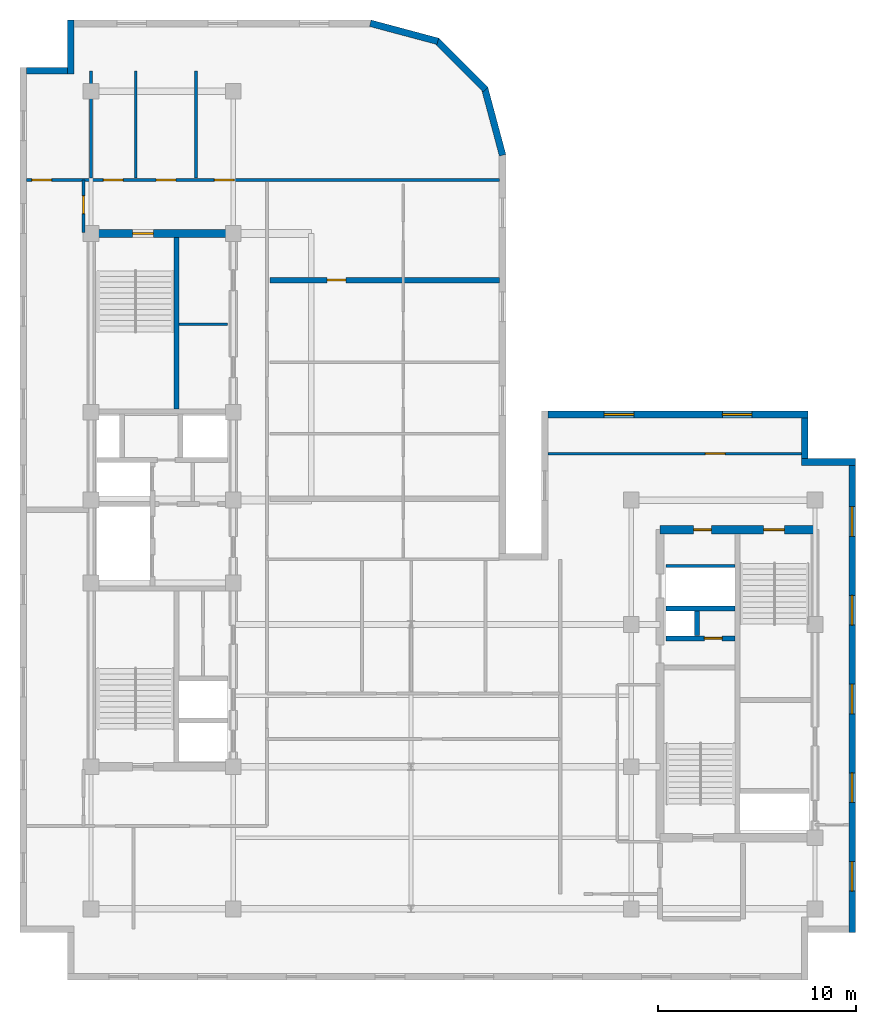
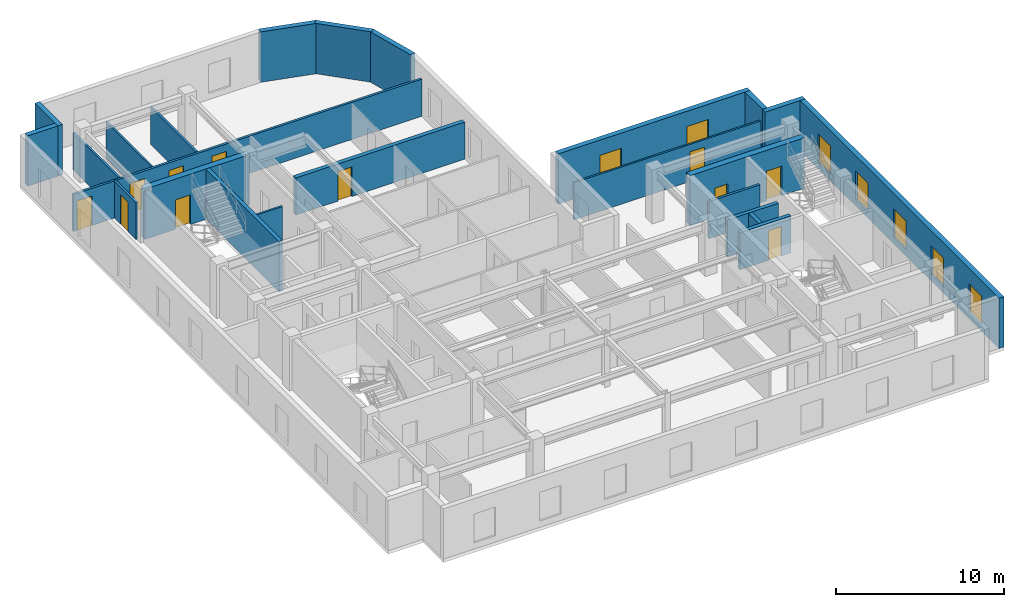
# One storey, part 6 of 10: 24 walls, 11 doors, 7 windows, 18 openings.
"""IFC4 building model written with IfcOpenShell, lengths in metres."""

import ifcopenshell
import ifcopenshell.guid

model = None  # the IFC model being written
_history = None  # IfcOwnerHistory: only IFC2X3 demands one
_inside = {}  # id of a spatial element -> (the spatial element, [elements in it])
_under = {}  # id of a project, library or spatial element -> (it, [spatial elements below it])
_declared = {}  # id of a project -> (the project, [libraries it declares])
_typed = {}  # id of a type object -> (the type object, [elements of that type])
_made_of = {}  # id of a material, layer set ... -> (it, [elements and type objects made of it])


def new_model(schema):
    """Start an empty IFC model of exactly this schema.

    Asked for "IFC4X3", IfcOpenShell would pick the latest addendum, in which some entities
    have other attributes; the version numbers below select the first issue.
    IFC2X3 requires an IfcOwnerHistory on every rooted entity: one is made here for all.
    """
    global model, _history
    if schema == "IFC4X3":
        model = ifcopenshell.file(schema_version=(4, 3, 0, 0))
    else:
        model = ifcopenshell.file(schema=schema)
    _inside.clear()
    _under.clear()
    _declared.clear()
    _typed.clear()
    _made_of.clear()
    _history = None
    if model.schema == "IFC2X3":
        org = make("IfcOrganization", Name="unknown")
        user = make(
            "IfcPersonAndOrganization",
            ThePerson=make("IfcPerson", FamilyName="unknown"),
            TheOrganization=org,
        )
        app = make(
            "IfcApplication",
            ApplicationDeveloper=org,
            Version="unknown",
            ApplicationFullName="unknown",
            ApplicationIdentifier="unknown",
        )
        _history = make(
            "IfcOwnerHistory",
            OwningUser=user,
            OwningApplication=app,
            ChangeAction="ADDED",
            CreationDate=0,
        )
    return model


def make(cls, **values):
    """One entity of the class cls with the attributes given. An attribute that is None is left unset."""
    return model.create_entity(
        cls, **{name: value for name, value in values.items() if value is not None}
    )


def entity(cls, *values):
    """Any entity or typed value of the class cls, its attributes in the order of the schema. None: left unset."""
    e = model.create_entity(cls)
    for i, value in enumerate(values):
        if value is not None:
            e[i] = value
    return e


def rooted(cls, **values):
    """An entity with a GlobalId (a new one), such as an element, a storey or a relation."""
    return make(cls, GlobalId=ifcopenshell.guid.new(), OwnerHistory=_history, **values)


def si_unit(unit_type, name, prefix=None):
    """IfcSIUnit, for example si_unit("LENGTHUNIT", "METRE", prefix="MILLI")."""
    return make("IfcSIUnit", UnitType=unit_type, Prefix=prefix, Name=name)


def converted_unit(unit_type, name, factor, base, dimensions=None, offset=None):
    """IfcConversionBasedUnit, such as the inch: factor (a typed value) times the base unit."""
    return make(
        "IfcConversionBasedUnit"
        if offset is None
        else "IfcConversionBasedUnitWithOffset",
        ConversionOffset=offset,
        Dimensions=None
        if dimensions is None
        else entity("IfcDimensionalExponents", *dimensions),
        UnitType=unit_type,
        Name=name,
        ConversionFactor=make(
            "IfcMeasureWithUnit", ValueComponent=factor, UnitComponent=base
        ),
    )


def assignment(units):
    """IfcUnitAssignment: the units of a project."""
    return None if units is None else make("IfcUnitAssignment", Units=units)


def point(xyz):
    """IfcCartesianPoint."""
    return None if xyz is None else make("IfcCartesianPoint", Coordinates=xyz)


def direction(xyz):
    """IfcDirection."""
    return None if xyz is None else make("IfcDirection", DirectionRatios=xyz)


def frame(location, z_axis=None, x_axis=None):
    """IfcAxis2Placement3D, a coordinate frame: its origin and axes. An axis left out is left unset."""
    return make(
        "IfcAxis2Placement3D",
        Location=point(location),
        Axis=direction(z_axis),
        RefDirection=direction(x_axis),
    )


def frame_2d(location, x_axis=None):
    """IfcAxis2Placement2D, a coordinate frame in the plane: its origin and x axis."""
    return make(
        "IfcAxis2Placement2D", Location=point(location), RefDirection=direction(x_axis)
    )


def origin_with_axes():
    """The frame at (0, 0, 0) with the z axis (0, 0, 1) and the x axis (1, 0, 0) written out."""
    return frame((0.0, 0.0, 0.0), z_axis=(0.0, 0.0, 1.0), x_axis=(1.0, 0.0, 0.0))


def origin_2d_with_axis():
    """The frame at (0, 0) in the plane with the x axis (1, 0) written out."""
    return frame_2d((0.0, 0.0), x_axis=(1.0, 0.0))


def place(relative_to, where):
    """IfcLocalPlacement: puts the frame where relative to a parent placement (None: the world)."""
    return make(
        "IfcLocalPlacement", PlacementRelTo=relative_to, RelativePlacement=where
    )


def context(
    kind, dimensions, precision=None, world=None, true_north=None, identifier=None
):
    """IfcGeometricRepresentationContext, for example the 3D "Model" context."""
    return make(
        "IfcGeometricRepresentationContext",
        ContextIdentifier=identifier,
        ContextType=kind,
        CoordinateSpaceDimension=dimensions,
        Precision=precision,
        WorldCoordinateSystem=world,
        TrueNorth=true_north,
    )


def subcontext(parent, identifier, kind, view, scale=None):
    """IfcGeometricRepresentationSubContext, for example "Body" below "Model"."""
    return make(
        "IfcGeometricRepresentationSubContext",
        ContextIdentifier=identifier,
        ContextType=kind,
        ParentContext=parent,
        TargetScale=scale,
        TargetView=view,
    )


def project(units=None, contexts=None):
    """IfcProject with its units and contexts."""
    return rooted(
        "IfcProject",
        Name="project",
        RepresentationContexts=contexts,
        UnitsInContext=assignment(units),
    )


def spatial(cls, under=None, at=None, **own):
    """A site, building, storey or space (cls), placed at a placement, below another one or the project."""
    s = rooted(cls, ObjectPlacement=at, **own)
    if under is not None:
        _under.setdefault(under.id(), (under, []))[1].append(s)
    return s


def polyline(points):
    """IfcPolyline through the points."""
    return make("IfcPolyline", Points=[point(p) for p in points])


def profile(cls, at=None, kind="AREA", **sizes):
    """A parametric profile (cls). Its sizes go by their IFC names, for example OverallWidth=200.0."""
    return make(cls, ProfileType=kind, Position=at, **sizes)


def rectangle(**sizes):
    """IfcRectangleProfileDef."""
    return profile("IfcRectangleProfileDef", **sizes)


def outline(outer, holes=None, kind="AREA"):
    """IfcArbitraryClosedProfileDef: a profile drawn as a closed curve; with holes, ...WithVoids."""
    if holes is None:
        return make("IfcArbitraryClosedProfileDef", ProfileType=kind, OuterCurve=outer)
    return make(
        "IfcArbitraryProfileDefWithVoids",
        ProfileType=kind,
        OuterCurve=outer,
        InnerCurves=holes,
    )


def extrude(swept, where, along, depth):
    """IfcExtrudedAreaSolid: the profile swept, set in the frame where, extruded along a direction by depth."""
    return make(
        "IfcExtrudedAreaSolid",
        SweptArea=swept,
        Position=where,
        ExtrudedDirection=direction(along),
        Depth=depth,
    )


def shape(context_of_items, identifier, shape_type, items):
    """IfcShapeRepresentation: the items that make up one representation, for example the "Body"."""
    return make(
        "IfcShapeRepresentation",
        ContextOfItems=context_of_items,
        RepresentationIdentifier=identifier,
        RepresentationType=shape_type,
        Items=items,
    )


def material(Name=None, Category=None):
    """IfcMaterial."""
    return make("IfcMaterial", Name=Name, Category=Category)


def layer(
    of_material, thickness, ventilated=None, Name=None, Category=None, Priority=None
):
    """IfcMaterialLayer: one layer of a wall or slab, of a material (None: an air gap)."""
    return make(
        "IfcMaterialLayer",
        Material=of_material,
        LayerThickness=thickness,
        IsVentilated=ventilated,
        Name=Name,
        Category=Category,
        Priority=Priority,
    )


def layer_set(layers, Name=None):
    """IfcMaterialLayerSet."""
    return make("IfcMaterialLayerSet", MaterialLayers=layers, LayerSetName=Name)


def made_of(thing, what):
    """Note that an element or type object is made of a material, layer set ...; save() writes the relation."""
    if what is not None:
        _made_of.setdefault(what.id(), (what, []))[1].append(thing)
    return thing


def type_object(cls, material=None, **own):
    """A type object (cls), such as IfcWallType, which elements share."""
    return made_of(rooted(cls, **own), material)


def element(
    cls,
    number,
    at=None,
    inside=None,
    cuts=None,
    type_object=None,
    material=None,
    context=None,
    identifier="Body",
    shape_type=None,
    held_by="IfcProductDefinitionShape",
    body=None,
    shapes=None,
    **own,
):
    """One element of the class cls, such as IfcWall. Its Tag is "e" and its number.

    at: its placement. inside: the storey or other place that contains it. cuts: it is an
    opening in that element (IfcRelVoidsElement). A single representation is given by context,
    identifier, shape_type and body (its items); several are given by shapes. held_by: the class
    of the entity that holds the representations. save() writes the other relations.
    """
    e = rooted(cls, Tag="e%d" % number, ObjectPlacement=at, **own)
    if body is not None:
        shapes = [shape(context, identifier, shape_type, body)]
    if shapes is not None:
        e.Representation = make(held_by, Representations=shapes)
    if inside is not None:
        _inside.setdefault(inside.id(), (inside, []))[1].append(e)
    if cuts is not None:
        rooted(
            "IfcRelVoidsElement", RelatingBuildingElement=cuts, RelatedOpeningElement=e
        )
    if type_object is not None:
        _typed.setdefault(type_object.id(), (type_object, []))[1].append(e)
    return made_of(e, material)


def fill(opening, filler):
    """IfcRelFillsElement: the door or window that sits in an opening."""
    return rooted(
        "IfcRelFillsElement",
        RelatingOpeningElement=opening,
        RelatedBuildingElement=filler,
    )


def aggregate(whole, parts):
    """IfcRelAggregates: a whole, such as a stair, and the parts it consists of."""
    return rooted("IfcRelAggregates", RelatingObject=whole, RelatedObjects=parts)


def save(model, path):
    """Write the relations noted so far, then the file.

    IfcRelAggregates (storeys below a building ...), IfcRelContainedInSpatialStructure (elements
    in a storey), IfcRelDefinesByType, IfcRelAssociatesMaterial and IfcRelDeclares: one each for
    every whole, place, type object, material and project.
    """
    for whole, parts in _under.values():
        aggregate(whole, parts)
    for where, things in _inside.values():
        rooted(
            "IfcRelContainedInSpatialStructure",
            RelatedElements=things,
            RelatingStructure=where,
        )
    for kind, things in _typed.values():
        rooted("IfcRelDefinesByType", RelatedObjects=things, RelatingType=kind)
    for what, things in _made_of.values():
        rooted("IfcRelAssociatesMaterial", RelatedObjects=things, RelatingMaterial=what)
    for by, libraries in _declared.values():
        rooted("IfcRelDeclares", RelatingContext=by, RelatedDefinitions=libraries)
    model.write(path)


model = new_model("IFC4")

# Units and contexts
model_context = context("Model", 3, precision=1e-05, world=origin_with_axes(), true_north=direction((0.0, 1.0)))
body_context = subcontext(model_context, "Body", "Model", "MODEL_VIEW")
ifc_project = project(units=[si_unit("LENGTHUNIT", "METRE"), si_unit("AREAUNIT", "SQUARE_METRE"), si_unit("VOLUMEUNIT", "CUBIC_METRE"), converted_unit("PLANEANGLEUNIT", "DEGREE", entity("IfcPlaneAngleMeasure", 0.017453292519943295), si_unit("PLANEANGLEUNIT", "RADIAN"), dimensions=[0, 0, 0, 0, 0, 0, 0]), si_unit("MASSUNIT", "GRAM", prefix="KILO"), si_unit("THERMODYNAMICTEMPERATUREUNIT", "KELVIN")], contexts=[model_context])

# Site, building, storey
site_placement = place(None, origin_with_axes())
site = spatial("IfcSite", under=ifc_project, at=site_placement, CompositionType="ELEMENT")
building_placement = place(site_placement, origin_with_axes())
building = spatial("IfcBuilding", under=site, at=building_placement, Name="Varnlund Millrace Tower", CompositionType="ELEMENT")
storey_placement = place(building_placement, frame((0.0, 0.0, 268.5), z_axis=(0.0, 0.0, 1.0), x_axis=(1.0, 0.0, 0.0)))
storey = spatial("IfcBuildingStorey", under=building, at=storey_placement, Name="L66", CompositionType="ELEMENT", Elevation=268.5)

# Wall, opening, door
ifc_material_1 = material(Name="Concrete C60/75", Category="concrete")
ifc_layer_1 = layer(ifc_material_1, 0.42, Name="Concrete C60/75")
ifc_layer_set_1 = layer_set([ifc_layer_1], Name="Concrete C60/75")
wall_type_1 = type_object("IfcWallType", Name="Type-CoreWall-Shear-420-C60", PredefinedType="SHEAR", material=ifc_layer_set_1)
wall_1_placement = place(storey_placement, frame((11.4, 37.8, 0.0), z_axis=(0.0, 0.0, 1.0), x_axis=(1.0, 0.0, 0.0)))
wall_1 = element("IfcWall", 1, at=wall_1_placement, inside=storey, type_object=wall_type_1, Name="Type-CoreWall-Shear-420-C60", PredefinedType="SHEAR", context=body_context, shape_type="SweptSolid", body=[
    extrude(outline(polyline([(0.0, -0.21), (7.2, -0.21), (7.2, 0.21), (0.0, 0.21), (0.0, -0.21)])), origin_with_axes(), (0.0, 0.0, 1.0), 3.66),
])
opening_1_placement = place(wall_1_placement, frame((2.625, 0.0, 0.0), z_axis=(0.0, 0.0, 1.0), x_axis=(1.0, 0.0, 0.0)))
opening_1 = element("IfcOpeningElement", 2, at=opening_1_placement, cuts=wall_1, Name="Opening L66:DR-STA2", PredefinedType="OPENING", context=body_context, shape_type="SweptSolid", body=[
    extrude(rectangle(XDim=1.05, YDim=0.44, at=origin_2d_with_axis()), origin_with_axes(), (0.0, 0.0, 1.0), 2.15),
])
ifc_material_2 = material(Name="Fire-rated hollow steel door", Category="steel")
door_type_1 = type_object("IfcDoorType", Name="Type-FireDoor-Stair-1050X2150", OperationType="NOTDEFINED", PredefinedType="DOOR", material=ifc_material_2)
door_1_placement = place(wall_1_placement, frame((2.625, 0.0, 0.0), z_axis=(0.0, 0.0, 1.0), x_axis=(1.0, 0.0, 0.0)))
door_1 = element("IfcDoor", 3, at=door_1_placement, inside=storey, type_object=door_type_1, Name="Type-FireDoor-Stair-1050X2150", OperationType="SINGLE_SWING_RIGHT", OverallHeight=2.15, OverallWidth=1.05, PredefinedType="DOOR", context=body_context, shape_type="SweptSolid", body=[
    extrude(rectangle(XDim=1.05, YDim=0.09, at=origin_2d_with_axis()), origin_with_axes(), (0.0, 0.0, 1.0), 2.15),
])
fill(opening_1, door_1)

# Wall, openings, doors
wall_2_placement = place(storey_placement, frame((40.2, 22.8, 0.0), z_axis=(0.0, 0.0, 1.0), x_axis=(1.0, 0.0, 0.0)))
wall_2 = element("IfcWall", 4, at=wall_2_placement, inside=storey, type_object=wall_type_1, Name="Type-CoreWall-Shear-420-C60", PredefinedType="SHEAR", context=body_context, shape_type="SweptSolid", body=[
    extrude(outline(polyline([(0.0, -0.21), (7.85, -0.21), (7.85, 0.21), (0.0, 0.21), (0.0, -0.21)])), origin_with_axes(), (0.0, 0.0, 1.0), 3.66),
])
opening_2_placement = place(wall_2_placement, frame((5.775, 0.0, 0.0), z_axis=(0.0, 0.0, 1.0), x_axis=(1.0, 0.0, 0.0)))
opening_2 = element("IfcOpeningElement", 5, at=opening_2_placement, cuts=wall_2, Name="Opening L66:DR-STB2", PredefinedType="OPENING", context=body_context, shape_type="SweptSolid", body=[
    extrude(rectangle(XDim=1.05, YDim=0.44, at=origin_2d_with_axis()), origin_with_axes(), (0.0, 0.0, 1.0), 2.15),
])
opening_3_placement = place(wall_2_placement, frame((2.15, 0.0, 0.0), z_axis=(0.0, 0.0, 1.0), x_axis=(1.0, 0.0, 0.0)))
opening_3 = element("IfcOpeningElement", 6, at=opening_3_placement, cuts=wall_2, Name="Opening L66:DR-CB-NW", PredefinedType="OPENING", context=body_context, shape_type="SweptSolid", body=[
    extrude(rectangle(XDim=0.9, YDim=0.44, at=origin_2d_with_axis()), origin_with_axes(), (0.0, 0.0, 1.0), 2.15),
])
ifc_material_3 = material(Name="Fire-rated hollow steel service closet door", Category="steel")
door_type_2 = type_object("IfcDoorType", Name="Type-FireDoor-Closet-900X2150", OperationType="NOTDEFINED", PredefinedType="DOOR", material=ifc_material_3)
door_2_placement = place(wall_2_placement, frame((2.15, 0.0, 0.0), z_axis=(0.0, 0.0, 1.0), x_axis=(1.0, 0.0, 0.0)))
door_2 = element("IfcDoor", 7, at=door_2_placement, inside=storey, type_object=door_type_2, Name="Type-FireDoor-Closet-900X2150", OperationType="SINGLE_SWING_LEFT", OverallHeight=2.15, OverallWidth=0.9, PredefinedType="DOOR", context=body_context, shape_type="SweptSolid", body=[
    extrude(rectangle(XDim=0.9, YDim=0.09, at=origin_2d_with_axis()), origin_with_axes(), (0.0, 0.0, 1.0), 2.15),
])
fill(opening_3, door_2)
door_3_placement = place(wall_2_placement, frame((5.775, 0.0, 0.0), z_axis=(0.0, 0.0, 1.0), x_axis=(1.0, 0.0, 0.0)))
door_3 = element("IfcDoor", 8, at=door_3_placement, inside=storey, type_object=door_type_1, Name="Type-FireDoor-Stair-1050X2150", OperationType="SINGLE_SWING_RIGHT", OverallHeight=2.15, OverallWidth=1.05, PredefinedType="DOOR", context=body_context, shape_type="SweptSolid", body=[
    extrude(rectangle(XDim=1.05, YDim=0.09, at=origin_2d_with_axis()), origin_with_axes(), (0.0, 0.0, 1.0), 2.15),
])
fill(opening_2, door_3)

# Wall, openings, windows
ifc_material_4 = material(Name="Precast concrete C50/60", Category="concrete")
ifc_layer_2 = layer(ifc_material_4, 0.34, Name="Precast concrete C50/60")
ifc_layer_set_2 = layer_set([ifc_layer_2], Name="Precast concrete C50/60")
wall_type_2 = type_object("IfcWallType", Name="Type-ExtWall-Precast-Upper-340", PredefinedType="SOLIDWALL", material=ifc_layer_set_2)
wall_3_placement = place(storey_placement, frame((34.54, 28.63, 0.0), z_axis=(0.0, 0.0, 1.0), x_axis=(1.0, 0.0, 0.0)))
wall_3 = element("IfcWall", 9, at=wall_3_placement, inside=storey, type_object=wall_type_2, Name="Type-ExtWall-Precast-Upper-340", PredefinedType="SOLIDWALL", context=body_context, shape_type="SweptSolid", body=[
    extrude(outline(polyline([(0.0, -0.17), (13.16, -0.17), (13.16, 0.17), (0.0, 0.17), (0.0, -0.17)])), origin_with_axes(), (0.0, 0.0, 1.0), 3.66),
])
opening_4_placement = place(wall_3_placement, frame((3.59, 0.0, 0.45), z_axis=(0.0, 0.0, 1.0), x_axis=(1.0, 0.0, 0.0)))
opening_4 = element("IfcOpeningElement", 10, at=opening_4_placement, cuts=wall_3, Name="Opening L66:WN-02", PredefinedType="OPENING", context=body_context, shape_type="SweptSolid", body=[
    extrude(rectangle(XDim=1.5, YDim=0.36, at=origin_2d_with_axis()), origin_with_axes(), (0.0, 0.0, 1.0), 2.1),
])
opening_5_placement = place(wall_3_placement, frame((9.57, 0.0, 0.45), z_axis=(0.0, 0.0, 1.0), x_axis=(1.0, 0.0, 0.0)))
opening_5 = element("IfcOpeningElement", 11, at=opening_5_placement, cuts=wall_3, Name="Opening L66:WN-03", PredefinedType="OPENING", context=body_context, shape_type="SweptSolid", body=[
    extrude(rectangle(XDim=1.5, YDim=0.36, at=origin_2d_with_axis()), origin_with_axes(), (0.0, 0.0, 1.0), 2.1),
])
ifc_material_5 = material(Name="Argon low-e triple glazing in thermally broken bronze frame", Category="glass")
window_type = type_object("IfcWindowType", Name="Type-Window-Punched-1500X2100", PartitioningType="SINGLE_PANEL", PredefinedType="WINDOW", material=ifc_material_5)
window_1_placement = place(wall_3_placement, frame((3.59, 0.0, 0.45), z_axis=(0.0, 0.0, 1.0), x_axis=(1.0, 0.0, 0.0)))
window_1 = element("IfcWindow", 12, at=window_1_placement, inside=storey, type_object=window_type, Name="Type-Window-Punched-1500X2100", OverallHeight=2.1, OverallWidth=1.5, PredefinedType="WINDOW", context=body_context, shape_type="SweptSolid", body=[
    extrude(rectangle(XDim=1.5, YDim=0.09, at=origin_2d_with_axis()), origin_with_axes(), (0.0, 0.0, 1.0), 2.1),
])
fill(opening_4, window_1)
window_2_placement = place(wall_3_placement, frame((9.57, 0.0, 0.45), z_axis=(0.0, 0.0, 1.0), x_axis=(1.0, 0.0, 0.0)))
window_2 = element("IfcWindow", 13, at=window_2_placement, inside=storey, type_object=window_type, Name="Type-Window-Punched-1500X2100", OverallHeight=2.1, OverallWidth=1.5, PredefinedType="WINDOW", context=body_context, shape_type="SweptSolid", body=[
    extrude(rectangle(XDim=1.5, YDim=0.09, at=origin_2d_with_axis()), origin_with_axes(), (0.0, 0.0, 1.0), 2.1),
])
fill(opening_5, window_2)

# Walls
wall_4_placement = place(storey_placement, frame((47.53, 28.46, 0.0), z_axis=(0.0, 0.0, 1.0), x_axis=(0.0, -1.0, 0.0)))
element("IfcWall", 14, at=wall_4_placement, inside=storey, type_object=wall_type_2, Name="Type-ExtWall-Precast-Upper-340", PredefinedType="SOLIDWALL", context=body_context, shape_type="SweptSolid", body=[
    extrude(outline(polyline([(0.0, -0.17), (2.06, -0.17), (2.06, 0.17), (0.0, 0.17), (0.0, -0.17)])), origin_with_axes(), (0.0, 0.0, 1.0), 3.66),
])
wall_5_placement = place(storey_placement, frame((47.36, 26.23, 0.0), z_axis=(0.0, 0.0, 1.0), x_axis=(1.0, 0.0, 0.0)))
element("IfcWall", 15, at=wall_5_placement, inside=storey, type_object=wall_type_2, Name="Type-ExtWall-Precast-Upper-340", PredefinedType="SOLIDWALL", context=body_context, shape_type="SweptSolid", body=[
    extrude(outline(polyline([(0.0, -0.17), (2.74, -0.17), (2.74, 0.17), (0.0, 0.17), (0.0, -0.17)])), origin_with_axes(), (0.0, 0.0, 1.0), 3.66),
])

# Wall, openings, windows
wall_6_placement = place(storey_placement, frame((49.93, 26.06, 0.0), z_axis=(0.0, 0.0, 1.0), x_axis=(0.0, -1.0, 0.0)))
wall_6 = element("IfcWall", 16, at=wall_6_placement, inside=storey, type_object=wall_type_2, Name="Type-ExtWall-Precast-Upper-340", PredefinedType="SOLIDWALL", context=body_context, shape_type="SweptSolid", body=[
    extrude(outline(polyline([(0.0, -0.17), (23.66, -0.17), (23.66, 0.17), (0.0, 0.17), (0.0, -0.17)])), origin_with_axes(), (0.0, 0.0, 1.0), 3.66),
])
opening_6_placement = place(wall_6_placement, frame((2.846, 0.0, 0.45), z_axis=(0.0, 0.0, 1.0), x_axis=(1.0, 0.0, 0.0)))
opening_6 = element("IfcOpeningElement", 17, at=opening_6_placement, cuts=wall_6, Name="Opening L66:WN-04", PredefinedType="OPENING", context=body_context, shape_type="SweptSolid", body=[
    extrude(rectangle(XDim=1.5, YDim=0.36, at=origin_2d_with_axis()), origin_with_axes(), (0.0, 0.0, 1.0), 2.1),
])
opening_7_placement = place(wall_6_placement, frame((7.338, 0.0, 0.45), z_axis=(0.0, 0.0, 1.0), x_axis=(1.0, 0.0, 0.0)))
opening_7 = element("IfcOpeningElement", 18, at=opening_7_placement, cuts=wall_6, Name="Opening L66:WN-05", PredefinedType="OPENING", context=body_context, shape_type="SweptSolid", body=[
    extrude(rectangle(XDim=1.5, YDim=0.36, at=origin_2d_with_axis()), origin_with_axes(), (0.0, 0.0, 1.0), 2.1),
])
opening_8_placement = place(wall_6_placement, frame((11.83, 0.0, 0.45), z_axis=(0.0, 0.0, 1.0), x_axis=(1.0, 0.0, 0.0)))
opening_8 = element("IfcOpeningElement", 19, at=opening_8_placement, cuts=wall_6, Name="Opening L66:WN-06", PredefinedType="OPENING", context=body_context, shape_type="SweptSolid", body=[
    extrude(rectangle(XDim=1.5, YDim=0.36, at=origin_2d_with_axis()), origin_with_axes(), (0.0, 0.0, 1.0), 2.1),
])
opening_9_placement = place(wall_6_placement, frame((16.322, 0.0, 0.45), z_axis=(0.0, 0.0, 1.0), x_axis=(1.0, 0.0, 0.0)))
opening_9 = element("IfcOpeningElement", 20, at=opening_9_placement, cuts=wall_6, Name="Opening L66:WN-07", PredefinedType="OPENING", context=body_context, shape_type="SweptSolid", body=[
    extrude(rectangle(XDim=1.5, YDim=0.36, at=origin_2d_with_axis()), origin_with_axes(), (0.0, 0.0, 1.0), 2.1),
])
opening_10_placement = place(wall_6_placement, frame((20.814, 0.0, 0.45), z_axis=(0.0, 0.0, 1.0), x_axis=(1.0, 0.0, 0.0)))
opening_10 = element("IfcOpeningElement", 21, at=opening_10_placement, cuts=wall_6, Name="Opening L66:WN-08", PredefinedType="OPENING", context=body_context, shape_type="SweptSolid", body=[
    extrude(rectangle(XDim=1.5, YDim=0.36, at=origin_2d_with_axis()), origin_with_axes(), (0.0, 0.0, 1.0), 2.1),
])
window_3_placement = place(wall_6_placement, frame((2.846, 0.0, 0.45), z_axis=(0.0, 0.0, 1.0), x_axis=(1.0, 0.0, 0.0)))
window_3 = element("IfcWindow", 22, at=window_3_placement, inside=storey, type_object=window_type, Name="Type-Window-Punched-1500X2100", OverallHeight=2.1, OverallWidth=1.5, PredefinedType="WINDOW", context=body_context, shape_type="SweptSolid", body=[
    extrude(rectangle(XDim=1.5, YDim=0.09, at=origin_2d_with_axis()), origin_with_axes(), (0.0, 0.0, 1.0), 2.1),
])
fill(opening_6, window_3)
window_4_placement = place(wall_6_placement, frame((7.338, 0.0, 0.45), z_axis=(0.0, 0.0, 1.0), x_axis=(1.0, 0.0, 0.0)))
window_4 = element("IfcWindow", 23, at=window_4_placement, inside=storey, type_object=window_type, Name="Type-Window-Punched-1500X2100", OverallHeight=2.1, OverallWidth=1.5, PredefinedType="WINDOW", context=body_context, shape_type="SweptSolid", body=[
    extrude(rectangle(XDim=1.5, YDim=0.09, at=origin_2d_with_axis()), origin_with_axes(), (0.0, 0.0, 1.0), 2.1),
])
fill(opening_7, window_4)
window_5_placement = place(wall_6_placement, frame((11.83, 0.0, 0.45), z_axis=(0.0, 0.0, 1.0), x_axis=(1.0, 0.0, 0.0)))
window_5 = element("IfcWindow", 24, at=window_5_placement, inside=storey, type_object=window_type, Name="Type-Window-Punched-1500X2100", OverallHeight=2.1, OverallWidth=1.5, PredefinedType="WINDOW", context=body_context, shape_type="SweptSolid", body=[
    extrude(rectangle(XDim=1.5, YDim=0.09, at=origin_2d_with_axis()), origin_with_axes(), (0.0, 0.0, 1.0), 2.1),
])
fill(opening_8, window_5)
window_6_placement = place(wall_6_placement, frame((16.322, 0.0, 0.45), z_axis=(0.0, 0.0, 1.0), x_axis=(1.0, 0.0, 0.0)))
window_6 = element("IfcWindow", 25, at=window_6_placement, inside=storey, type_object=window_type, Name="Type-Window-Punched-1500X2100", OverallHeight=2.1, OverallWidth=1.5, PredefinedType="WINDOW", context=body_context, shape_type="SweptSolid", body=[
    extrude(rectangle(XDim=1.5, YDim=0.09, at=origin_2d_with_axis()), origin_with_axes(), (0.0, 0.0, 1.0), 2.1),
])
fill(opening_9, window_6)
window_7_placement = place(wall_6_placement, frame((20.814, 0.0, 0.45), z_axis=(0.0, 0.0, 1.0), x_axis=(1.0, 0.0, 0.0)))
window_7 = element("IfcWindow", 26, at=window_7_placement, inside=storey, type_object=window_type, Name="Type-Window-Punched-1500X2100", OverallHeight=2.1, OverallWidth=1.5, PredefinedType="WINDOW", context=body_context, shape_type="SweptSolid", body=[
    extrude(rectangle(XDim=1.5, YDim=0.09, at=origin_2d_with_axis()), origin_with_axes(), (0.0, 0.0, 1.0), 2.1),
])
fill(opening_10, window_7)

# Walls
wall_7_placement = place(storey_placement, frame((8.14, 46.03, 0.0), z_axis=(0.0, 0.0, 1.0), x_axis=(1.0, 0.0, 0.0)))
element("IfcWall", 27, at=wall_7_placement, inside=storey, type_object=wall_type_2, Name="Type-ExtWall-Precast-Upper-340", PredefinedType="SOLIDWALL", context=body_context, shape_type="SweptSolid", body=[
    extrude(outline(polyline([(0.0, -0.17), (2.06, -0.17), (2.06, 0.17), (0.0, 0.17), (0.0, -0.17)])), origin_with_axes(), (0.0, 0.0, 1.0), 3.66),
])
wall_8_placement = place(storey_placement, frame((10.37, 45.86, 0.0), z_axis=(0.0, 0.0, 1.0), x_axis=(0.0, 1.0, 0.0)))
element("IfcWall", 28, at=wall_8_placement, inside=storey, type_object=wall_type_2, Name="Type-ExtWall-Precast-Upper-340", PredefinedType="SOLIDWALL", context=body_context, shape_type="SweptSolid", body=[
    extrude(outline(polyline([(0.0, -0.17), (2.74, -0.17), (2.74, 0.17), (0.0, 0.17), (0.0, -0.17)])), origin_with_axes(), (0.0, 0.0, 1.0), 3.66),
])
wall_9_placement = place(storey_placement, frame((25.537, 48.441, 0.0), z_axis=(0.0, 0.0, 1.0), x_axis=(0.965934, -0.258788, 0.0)))
element("IfcWall", 29, at=wall_9_placement, inside=storey, type_object=wall_type_2, Name="Type-ExtWall-Precast-Upper-340", PredefinedType="SOLIDWALL", context=body_context, shape_type="SweptSolid", body=[
    extrude(outline(polyline([(0.0, -0.17), (3.539579, -0.17), (3.539579, 0.17), (0.0, 0.17), (0.0, -0.17)])), origin_with_axes(), (0.0, 0.0, 1.0), 3.66),
])
wall_10_placement = place(storey_placement, frame((28.866, 47.583, 0.0), z_axis=(0.0, 0.0, 1.0), x_axis=(0.707107, -0.707107, 0.0)))
element("IfcWall", 30, at=wall_10_placement, inside=storey, type_object=wall_type_2, Name="Type-ExtWall-Precast-Upper-340", PredefinedType="SOLIDWALL", context=body_context, shape_type="SweptSolid", body=[
    extrude(outline(polyline([(0.0, -0.17), (3.539777, -0.17), (3.539777, 0.17), (0.0, 0.17), (0.0, -0.17)])), origin_with_axes(), (0.0, 0.0, 1.0), 3.66),
])
wall_11_placement = place(storey_placement, frame((31.32, 45.175, 0.0), z_axis=(0.0, 0.0, 1.0), x_axis=(0.258788, -0.965934, 0.0)))
element("IfcWall", 31, at=wall_11_placement, inside=storey, type_object=wall_type_2, Name="Type-ExtWall-Precast-Upper-340", PredefinedType="SOLIDWALL", context=body_context, shape_type="SweptSolid", body=[
    extrude(outline(polyline([(0.0, -0.17), (3.539579, -0.17), (3.539579, 0.17), (0.0, 0.17), (0.0, -0.17)])), origin_with_axes(), (0.0, 0.0, 1.0), 3.66),
])

# Wall, opening, door
ifc_material_6 = material(Name="Double-stud STC-60 conference acoustic partition", Category="gypsum")
ifc_layer_3 = layer(ifc_material_6, 0.28, Name="Double-stud STC-60 conference acoustic partition")
ifc_layer_set_3 = layer_set([ifc_layer_3], Name="Double-stud STC-60 conference acoustic partition")
wall_type_3 = type_object("IfcWallType", Name="Type-Partition-Acoustic-280", PredefinedType="PARTITIONING", material=ifc_layer_set_3)
wall_12_placement = place(storey_placement, frame((20.45, 35.437, 0.0), z_axis=(0.0, 0.0, 1.0), x_axis=(1.0, 0.0, 0.0)))
wall_12 = element("IfcWall", 32, at=wall_12_placement, inside=storey, type_object=wall_type_3, Name="Type-Partition-Acoustic-280", PredefinedType="PARTITIONING", context=body_context, shape_type="SweptSolid", body=[
    extrude(outline(polyline([(0.0, -0.14), (11.615, -0.14), (11.615, 0.14), (0.0, 0.14), (0.0, -0.14)])), origin_with_axes(), (0.0, 0.0, 1.0), 2.7),
])
opening_11_placement = place(wall_12_placement, frame((3.375, 0.0, 0.0), z_axis=(0.0, 0.0, 1.0), x_axis=(1.0, 0.0, 0.0)))
opening_11 = element("IfcOpeningElement", 33, at=opening_11_placement, cuts=wall_12, Name="Opening L66:DR-FLR-05", PredefinedType="OPENING", context=body_context, shape_type="SweptSolid", body=[
    extrude(rectangle(XDim=0.95, YDim=0.3, at=origin_2d_with_axis()), origin_with_axes(), (0.0, 0.0, 1.0), 2.15),
])
ifc_material_7 = material(Name="Solid-core acoustic office door")
door_type_3 = type_object("IfcDoorType", Name="Type-IntDoor-Tenant-950X2150", OperationType="NOTDEFINED", PredefinedType="DOOR", material=ifc_material_7)
door_4_placement = place(wall_12_placement, frame((3.375, 0.0, 0.0), z_axis=(0.0, 0.0, 1.0), x_axis=(1.0, 0.0, 0.0)))
door_4 = element("IfcDoor", 34, at=door_4_placement, inside=storey, type_object=door_type_3, Name="Type-IntDoor-Tenant-950X2150", OperationType="SINGLE_SWING_LEFT", OverallHeight=2.15, OverallWidth=0.95, PredefinedType="DOOR", context=body_context, shape_type="SweptSolid", body=[
    extrude(rectangle(XDim=0.95, YDim=0.09, at=origin_2d_with_axis()), origin_with_axes(), (0.0, 0.0, 1.0), 2.15),
])
fill(opening_11, door_4)

# Wall
ifc_material_8 = material(Name="Fire-rated gypsum board on cold-formed steel framing", Category="steel")
ifc_layer_4 = layer(ifc_material_8, 0.16, Name="Fire-rated gypsum board on cold-formed steel framing")
ifc_layer_set_4 = layer_set([ifc_layer_4], Name="Fire-rated gypsum board on cold-formed steel framing")
wall_type_4 = type_object("IfcWallType", Name="Type-Partition-Corridor-160", PredefinedType="PARTITIONING", material=ifc_layer_set_4)
wall_13_placement = place(storey_placement, frame((40.5, 20.96, 0.0), z_axis=(0.0, 0.0, 1.0), x_axis=(1.0, 0.0, 0.0)))
element("IfcWall", 35, at=wall_13_placement, inside=storey, type_object=wall_type_4, Name="Type-Partition-Corridor-160", PredefinedType="PARTITIONING", context=body_context, shape_type="SweptSolid", body=[
    extrude(outline(polyline([(0.0, -0.08), (3.5, -0.08), (3.5, 0.08), (0.0, 0.08), (0.0, -0.08)])), origin_with_axes(), (0.0, 0.0, 1.0), 2.7),
])

# Wall, openings, doors
wall_14_placement = place(storey_placement, frame((8.135, 40.5, 0.0), z_axis=(0.0, 0.0, 1.0), x_axis=(1.0, 0.0, 0.0)))
wall_14 = element("IfcWall", 36, at=wall_14_placement, inside=storey, type_object=wall_type_4, Name="Type-Partition-Corridor-160", PredefinedType="PARTITIONING", context=body_context, shape_type="SweptSolid", body=[
    extrude(outline(polyline([(0.0, -0.08), (23.93, -0.08), (23.93, 0.08), (0.0, 0.08), (0.0, -0.08)])), origin_with_axes(), (0.0, 0.0, 1.0), 2.7),
])
opening_12_placement = place(wall_14_placement, frame((0.76, 0.0, 0.0), z_axis=(0.0, 0.0, 1.0), x_axis=(1.0, 0.0, 0.0)))
opening_12 = element("IfcOpeningElement", 37, at=opening_12_placement, cuts=wall_14, Name="Opening L66:DR-WAN-01", PredefinedType="OPENING", context=body_context, shape_type="SweptSolid", body=[
    extrude(rectangle(XDim=1.0, YDim=0.18, at=origin_2d_with_axis()), origin_with_axes(), (0.0, 0.0, 1.0), 2.15),
])
opening_13_placement = place(wall_14_placement, frame((4.39, 0.0, 0.0), z_axis=(0.0, 0.0, 1.0), x_axis=(1.0, 0.0, 0.0)))
opening_13 = element("IfcOpeningElement", 38, at=opening_13_placement, cuts=wall_14, Name="Opening L66:DR-WAN-02", PredefinedType="OPENING", context=body_context, shape_type="SweptSolid", body=[
    extrude(rectangle(XDim=1.0, YDim=0.18, at=origin_2d_with_axis()), origin_with_axes(), (0.0, 0.0, 1.0), 2.15),
])
opening_14_placement = place(wall_14_placement, frame((7.051, 0.0, 0.0), z_axis=(0.0, 0.0, 1.0), x_axis=(1.0, 0.0, 0.0)))
opening_14 = element("IfcOpeningElement", 39, at=opening_14_placement, cuts=wall_14, Name="Opening L66:DR-WAN-03", PredefinedType="OPENING", context=body_context, shape_type="SweptSolid", body=[
    extrude(rectangle(XDim=1.0, YDim=0.18, at=origin_2d_with_axis()), origin_with_axes(), (0.0, 0.0, 1.0), 2.15),
])
opening_15_placement = place(wall_14_placement, frame((10.006, 0.0, 0.0), z_axis=(0.0, 0.0, 1.0), x_axis=(1.0, 0.0, 0.0)))
opening_15 = element("IfcOpeningElement", 40, at=opening_15_placement, cuts=wall_14, Name="Opening L66:DR-WAN-04", PredefinedType="OPENING", context=body_context, shape_type="SweptSolid", body=[
    extrude(rectangle(XDim=1.0, YDim=0.18, at=origin_2d_with_axis()), origin_with_axes(), (0.0, 0.0, 1.0), 2.15),
])
ifc_material_9 = material(Name="Solid-core white oak and bronze frame door")
door_type_4 = type_object("IfcDoorType", Name="Type-IntDoor-Office-1000X2150", OperationType="NOTDEFINED", PredefinedType="DOOR", material=ifc_material_9)
door_5_placement = place(wall_14_placement, frame((0.76, 0.0, 0.0), z_axis=(0.0, 0.0, 1.0), x_axis=(1.0, 0.0, 0.0)))
door_5 = element("IfcDoor", 41, at=door_5_placement, inside=storey, type_object=door_type_4, Name="Type-IntDoor-Office-1000X2150", OperationType="SINGLE_SWING_LEFT", OverallHeight=2.15, OverallWidth=1.0, PredefinedType="DOOR", context=body_context, shape_type="SweptSolid", body=[
    extrude(rectangle(XDim=1.0, YDim=0.09, at=origin_2d_with_axis()), origin_with_axes(), (0.0, 0.0, 1.0), 2.15),
])
fill(opening_12, door_5)
door_6_placement = place(wall_14_placement, frame((4.39, 0.0, 0.0), z_axis=(0.0, 0.0, 1.0), x_axis=(1.0, 0.0, 0.0)))
door_6 = element("IfcDoor", 42, at=door_6_placement, inside=storey, type_object=door_type_4, Name="Type-IntDoor-Office-1000X2150", OperationType="SINGLE_SWING_RIGHT", OverallHeight=2.15, OverallWidth=1.0, PredefinedType="DOOR", context=body_context, shape_type="SweptSolid", body=[
    extrude(rectangle(XDim=1.0, YDim=0.09, at=origin_2d_with_axis()), origin_with_axes(), (0.0, 0.0, 1.0), 2.15),
])
fill(opening_13, door_6)
door_7_placement = place(wall_14_placement, frame((7.051, 0.0, 0.0), z_axis=(0.0, 0.0, 1.0), x_axis=(1.0, 0.0, 0.0)))
door_7 = element("IfcDoor", 43, at=door_7_placement, inside=storey, type_object=door_type_4, Name="Type-IntDoor-Office-1000X2150", OperationType="SINGLE_SWING_LEFT", OverallHeight=2.15, OverallWidth=1.0, PredefinedType="DOOR", context=body_context, shape_type="SweptSolid", body=[
    extrude(rectangle(XDim=1.0, YDim=0.09, at=origin_2d_with_axis()), origin_with_axes(), (0.0, 0.0, 1.0), 2.15),
])
fill(opening_14, door_7)
door_8_placement = place(wall_14_placement, frame((10.006, 0.0, 0.0), z_axis=(0.0, 0.0, 1.0), x_axis=(1.0, 0.0, 0.0)))
door_8 = element("IfcDoor", 44, at=door_8_placement, inside=storey, type_object=door_type_4, Name="Type-IntDoor-Office-1000X2150", OperationType="SINGLE_SWING_RIGHT", OverallHeight=2.15, OverallWidth=1.0, PredefinedType="DOOR", context=body_context, shape_type="SweptSolid", body=[
    extrude(rectangle(XDim=1.0, YDim=0.09, at=origin_2d_with_axis()), origin_with_axes(), (0.0, 0.0, 1.0), 2.15),
])
fill(opening_15, door_8)

# Wall, opening, door
wall_15_placement = place(storey_placement, frame((11.02, 37.85, 0.0), z_axis=(0.0, 0.0, 1.0), x_axis=(0.0, 1.0, 0.0)))
wall_15 = element("IfcWall", 45, at=wall_15_placement, inside=storey, type_object=wall_type_4, Name="Type-Partition-Corridor-160", PredefinedType="PARTITIONING", context=body_context, shape_type="SweptSolid", body=[
    extrude(outline(polyline([(0.0, -0.08), (2.65, -0.08), (2.65, 0.08), (0.0, 0.08), (0.0, -0.08)])), origin_with_axes(), (0.0, 0.0, 1.0), 2.7),
])
opening_16_placement = place(wall_15_placement, frame((1.4, 0.0, 0.0), z_axis=(0.0, 0.0, 1.0), x_axis=(1.0, 0.0, 0.0)))
opening_16 = element("IfcOpeningElement", 46, at=opening_16_placement, cuts=wall_15, Name="Opening L66:DR-WU-N1", PredefinedType="OPENING", context=body_context, shape_type="SweptSolid", body=[
    extrude(rectangle(XDim=0.9, YDim=0.18, at=origin_2d_with_axis()), origin_with_axes(), (0.0, 0.0, 1.0), 2.15),
])
ifc_material_10 = material(Name="Painted steel riser and closet door", Category="steel")
door_type_5 = type_object("IfcDoorType", Name="Type-IntDoor-Closet-900X2150", OperationType="NOTDEFINED", PredefinedType="DOOR", material=ifc_material_10)
door_9_placement = place(wall_15_placement, frame((1.4, 0.0, 0.0), z_axis=(0.0, 0.0, 1.0), x_axis=(1.0, 0.0, 0.0)))
door_9 = element("IfcDoor", 47, at=door_9_placement, inside=storey, type_object=door_type_5, Name="Type-IntDoor-Closet-900X2150", OperationType="SINGLE_SWING_RIGHT", OverallHeight=2.15, OverallWidth=0.9, PredefinedType="DOOR", context=body_context, shape_type="SweptSolid", body=[
    extrude(rectangle(XDim=0.9, YDim=0.09, at=origin_2d_with_axis()), origin_with_axes(), (0.0, 0.0, 1.0), 2.15),
])
fill(opening_16, door_9)

# Walls
ifc_material_11 = material(Name="Acoustic STC-50 gypsum board partition", Category="gypsum")
ifc_layer_5 = layer(ifc_material_11, 0.15, Name="Acoustic STC-50 gypsum board partition")
ifc_layer_set_5 = layer_set([ifc_layer_5], Name="Acoustic STC-50 gypsum board partition")
wall_type_5 = type_object("IfcWallType", Name="Type-Partition-Demising-150", PredefinedType="PARTITIONING", material=ifc_layer_set_5)
for number, where, z_axis, x_axis, name in (
    (48, (11.4, 40.6, 0.0), (0.0, 0.0, 1.0), (0.0, 1.0, 0.0), "Type-Partition-Demising-150"),
    (49, (16.722, 40.6, 0.0), (0.0, 0.0, 1.0), (0.0, 1.0, 0.0), "Type-Partition-Demising-150"),
):
    element("IfcWall", number, at=place(storey_placement, frame(where, z_axis=z_axis, x_axis=x_axis)), inside=storey, type_object=wall_type_5, Name=name, PredefinedType="PARTITIONING", context=body_context, shape_type="SweptSolid", body=[
        extrude(outline(polyline([(0.0, -0.075), (5.42, -0.075), (5.42, 0.075), (0.0, 0.075), (0.0, -0.075)])), origin_with_axes(), (0.0, 0.0, 1.0), 2.7),
    ])
ifc_material_12 = material(Name="Gypsum board tenant partition", Category="gypsum")
ifc_layer_6 = layer(ifc_material_12, 0.125, Name="Gypsum board tenant partition")
ifc_layer_set_6 = layer_set([ifc_layer_6], Name="Gypsum board tenant partition")
wall_type_6 = type_object("IfcWallType", Name="Type-Partition-Tenant-125", PredefinedType="PARTITIONING", material=ifc_layer_set_6)
wall_16_placement = place(storey_placement, frame((13.65, 40.6, 0.0), z_axis=(0.0, 0.0, 1.0), x_axis=(0.0, 1.0, 0.0)))
element("IfcWall", 50, at=wall_16_placement, inside=storey, type_object=wall_type_6, Name="Type-Partition-Tenant-125", PredefinedType="PARTITIONING", context=body_context, shape_type="SweptSolid", body=[
    extrude(outline(polyline([(0.0, -0.0625), (5.42, -0.0625), (5.42, 0.0625), (0.0, 0.0625), (0.0, -0.0625)])), origin_with_axes(), (0.0, 0.0, 1.0), 2.7),
])

# Wall, opening, door
wall_17_placement = place(storey_placement, frame((34.535, 26.65, 0.0), z_axis=(0.0, 0.0, 1.0), x_axis=(1.0, 0.0, 0.0)))
wall_17 = element("IfcWall", 51, at=wall_17_placement, inside=storey, type_object=wall_type_6, Name="Type-Partition-Tenant-125", PredefinedType="PARTITIONING", context=body_context, shape_type="SweptSolid", body=[
    extrude(outline(polyline([(0.0, -0.0625), (12.995, -0.0625), (12.995, 0.0625), (0.0, 0.0625), (0.0, -0.0625)])), origin_with_axes(), (0.0, 0.0, 1.0), 2.7),
])
opening_17_placement = place(wall_17_placement, frame((8.465, 0.0, 0.0), z_axis=(0.0, 0.0, 1.0), x_axis=(1.0, 0.0, 0.0)))
opening_17 = element("IfcOpeningElement", 52, at=opening_17_placement, cuts=wall_17, Name="Opening L66:DR-WBN-01", PredefinedType="OPENING", context=body_context, shape_type="SweptSolid", body=[
    extrude(rectangle(XDim=1.0, YDim=0.145, at=origin_2d_with_axis()), origin_with_axes(), (0.0, 0.0, 1.0), 2.15),
])
door_10_placement = place(wall_17_placement, frame((8.465, 0.0, 0.0), z_axis=(0.0, 0.0, 1.0), x_axis=(1.0, 0.0, 0.0)))
door_10 = element("IfcDoor", 53, at=door_10_placement, inside=storey, type_object=door_type_4, Name="Type-IntDoor-Office-1000X2150", OperationType="SINGLE_SWING_RIGHT", OverallHeight=2.15, OverallWidth=1.0, PredefinedType="DOOR", context=body_context, shape_type="SweptSolid", body=[
    extrude(rectangle(XDim=1.0, YDim=0.075, at=origin_2d_with_axis()), origin_with_axes(), (0.0, 0.0, 1.0), 2.15),
])
fill(opening_17, door_10)

# Wall
ifc_material_13 = material(Name="Moisture-resistant gypsum restroom partition", Category="gypsum")
ifc_layer_7 = layer(ifc_material_13, 0.14, Name="Moisture-resistant gypsum restroom partition")
ifc_layer_set_7 = layer_set([ifc_layer_7], Name="Moisture-resistant gypsum restroom partition")
wall_type_7 = type_object("IfcWallType", Name="Type-Partition-Wet-140", PredefinedType="PARTITIONING", material=ifc_layer_set_7)
wall_18_placement = place(storey_placement, frame((15.84, 33.2, 0.0), z_axis=(0.0, 0.0, 1.0), x_axis=(1.0, 0.0, 0.0)))
element("IfcWall", 54, at=wall_18_placement, inside=storey, type_object=wall_type_7, Name="Type-Partition-Wet-140", PredefinedType="PARTITIONING", context=body_context, shape_type="SweptSolid", body=[
    extrude(outline(polyline([(0.0, -0.07), (2.46, -0.07), (2.46, 0.07), (0.0, 0.07), (0.0, -0.07)])), origin_with_axes(), (0.0, 0.0, 1.0), 2.7),
])

# Wall, opening, door
ifc_layer_8 = layer(ifc_material_1, 0.25, Name="Concrete C60/75")
ifc_layer_set_8 = layer_set([ifc_layer_8], Name="Concrete C60/75")
wall_type_8 = type_object("IfcWallType", Name="Type-ShaftWall-Fire-250", PredefinedType="SOLIDWALL", material=ifc_layer_set_8)
wall_19_placement = place(storey_placement, frame((40.5, 17.3, 0.0), z_axis=(0.0, 0.0, 1.0), x_axis=(1.0, 0.0, 0.0)))
wall_19 = element("IfcWall", 55, at=wall_19_placement, inside=storey, type_object=wall_type_8, Name="Type-ShaftWall-Fire-250", PredefinedType="SOLIDWALL", context=body_context, shape_type="SweptSolid", body=[
    extrude(outline(polyline([(0.0, -0.125), (3.5, -0.125), (3.5, 0.125), (0.0, 0.125), (0.0, -0.125)])), origin_with_axes(), (0.0, 0.0, 1.0), 2.7),
])
opening_18_placement = place(wall_19_placement, frame((2.4, 0.0, 0.0), z_axis=(0.0, 0.0, 1.0), x_axis=(1.0, 0.0, 0.0)))
opening_18 = element("IfcOpeningElement", 56, at=opening_18_placement, cuts=wall_19, Name="Opening L66:DR-CB-ELC", PredefinedType="OPENING", context=body_context, shape_type="SweptSolid", body=[
    extrude(rectangle(XDim=0.9, YDim=0.27, at=origin_2d_with_axis()), origin_with_axes(), (0.0, 0.0, 1.0), 2.15),
])
door_11_placement = place(wall_19_placement, frame((2.4, 0.0, 0.0), z_axis=(0.0, 0.0, 1.0), x_axis=(1.0, 0.0, 0.0)))
door_11 = element("IfcDoor", 57, at=door_11_placement, inside=storey, type_object=door_type_2, Name="Type-FireDoor-Closet-900X2150", OperationType="SINGLE_SWING_LEFT", OverallHeight=2.15, OverallWidth=0.9, PredefinedType="DOOR", context=body_context, shape_type="SweptSolid", body=[
    extrude(rectangle(XDim=0.9, YDim=0.09, at=origin_2d_with_axis()), origin_with_axes(), (0.0, 0.0, 1.0), 2.15),
])
fill(opening_18, door_11)

# Walls
wall_20_placement = place(storey_placement, frame((40.5, 18.8, 0.0), z_axis=(0.0, 0.0, 1.0), x_axis=(1.0, 0.0, 0.0)))
element("IfcWall", 58, at=wall_20_placement, inside=storey, type_object=wall_type_8, Name="Type-ShaftWall-Fire-250", PredefinedType="SOLIDWALL", context=body_context, shape_type="SweptSolid", body=[
    extrude(outline(polyline([(0.0, -0.125), (3.5, -0.125), (3.5, 0.125), (0.0, 0.125), (0.0, -0.125)])), origin_with_axes(), (0.0, 0.0, 1.0), 2.7),
])
wall_21_placement = place(storey_placement, frame((42.075, 17.43, 0.0), z_axis=(0.0, 0.0, 1.0), x_axis=(0.0, 1.0, 0.0)))
element("IfcWall", 59, at=wall_21_placement, inside=storey, type_object=wall_type_8, Name="Type-ShaftWall-Fire-250", PredefinedType="SOLIDWALL", context=body_context, shape_type="SweptSolid", body=[
    extrude(outline(polyline([(0.0, -0.125), (1.24, -0.125), (1.24, 0.125), (0.0, 0.125), (0.0, -0.125)])), origin_with_axes(), (0.0, 0.0, 1.0), 2.7),
])
wall_type_9 = type_object("IfcWallType", Name="Type-StairWall-Shear-250", PredefinedType="SHEAR", material=ifc_layer_set_8)
wall_22_placement = place(storey_placement, frame((15.725, 28.9, 0.0), z_axis=(0.0, 0.0, 1.0), x_axis=(0.0, 1.0, 0.0)))
element("IfcWall", 60, at=wall_22_placement, inside=storey, type_object=wall_type_9, Name="Type-StairWall-Shear-250", PredefinedType="SHEAR", context=body_context, shape_type="SweptSolid", body=[
    extrude(outline(polyline([(0.0, -0.125), (8.69, -0.125), (8.69, 0.125), (0.0, 0.125), (0.0, -0.125)])), origin_with_axes(), (0.0, 0.0, 1.0), 3.66),
])

save(model, "model.ifc")
